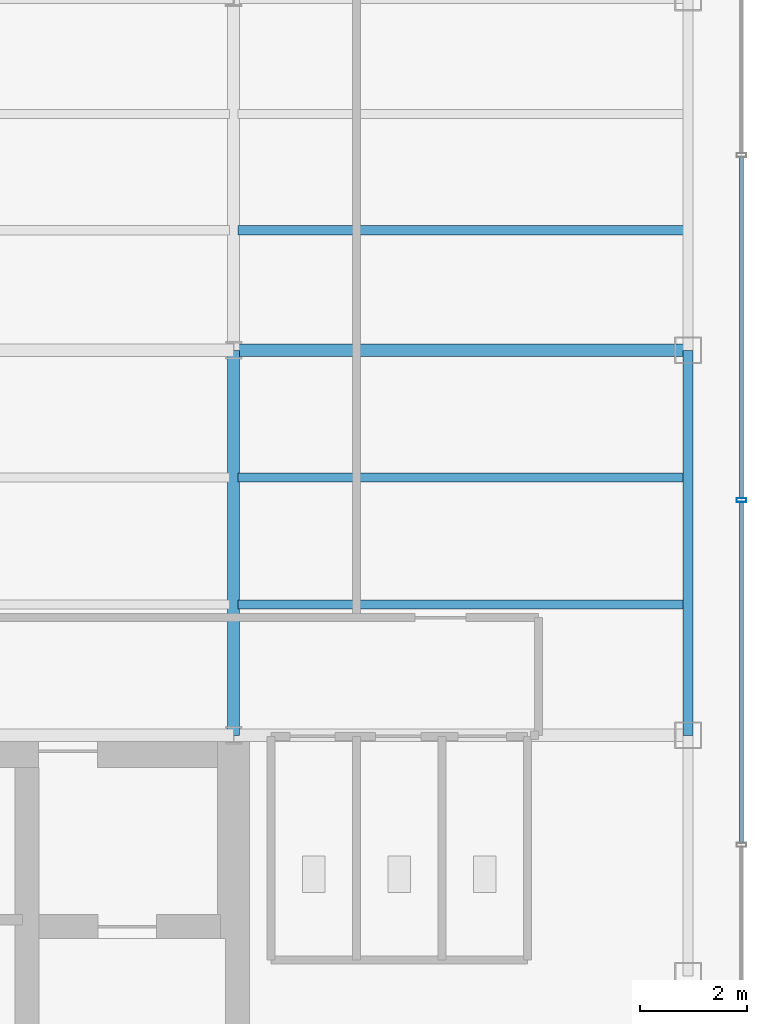
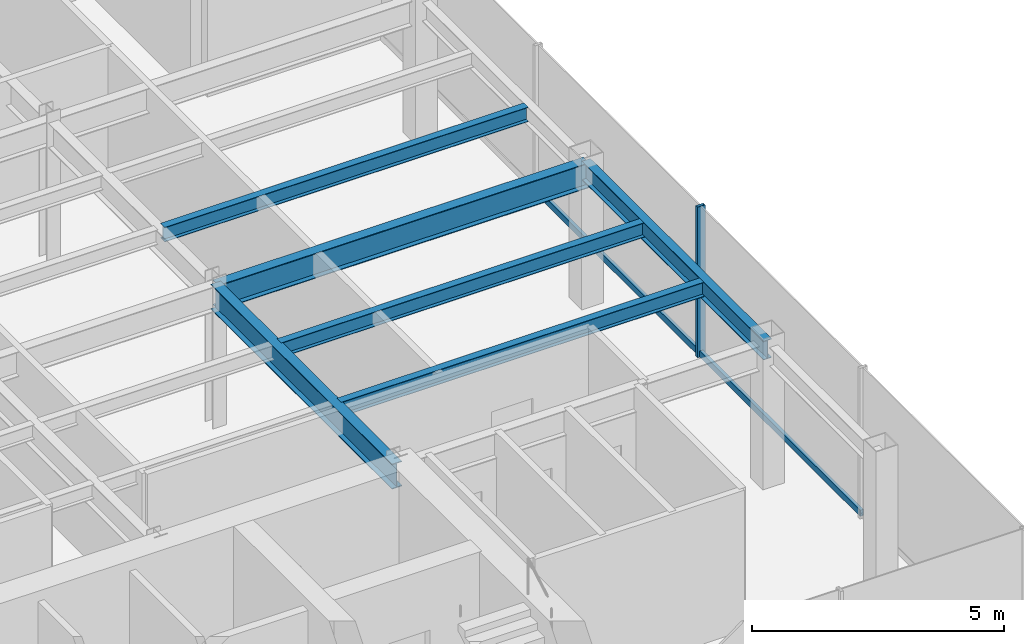
# One storey, part 10 of 22: 6 beams, 3 members, 1 element without a shape of its own.
"""IFC4 building model written with IfcOpenShell, lengths in metres."""

from ifc_helpers import new_model, si_unit, derived_unit, direction, frame, origin, origin_2d, place, context, subcontext, project, spatial, hollow_rectangle, i_section, extrude, source, transform, mapped, material, material_profile, profile_set, type_object, element, aggregate, save


model = new_model("IFC4")

# Units and contexts
model_context = context("Model", 3, precision=1e-05, world=origin(), true_north=direction((0.0, 1.0)))
body_context = subcontext(model_context, "Body", "Model", "MODEL_VIEW")
ifc_project = project(units=[si_unit("LENGTHUNIT", "METRE"), si_unit("AREAUNIT", "SQUARE_METRE"), si_unit("VOLUMEUNIT", "CUBIC_METRE"), si_unit("PLANEANGLEUNIT", "RADIAN"), si_unit("MASSUNIT", "GRAM", prefix="KILO"), derived_unit("THERMALTRANSMITTANCEUNIT", [(si_unit("POWERUNIT", "WATT"), 1), (si_unit("LENGTHUNIT", "METRE"), -2), (si_unit("THERMODYNAMICTEMPERATUREUNIT", "KELVIN"), -1)])], contexts=[model_context])

# Site, building, storey
site_placement = place(None, origin())
site = spatial("IfcSite", under=ifc_project, at=site_placement, CompositionType="ELEMENT")
building_placement = place(site_placement, origin())
building = spatial("IfcBuilding", under=site, at=building_placement, Name="Skarnbrae Concourse Arena and Tower", CompositionType="ELEMENT")
storey_placement = place(building_placement, frame((0.0, 0.0, 203.199951171875)))
storey = spatial("IfcBuildingStorey", under=building, at=storey_placement, Name="L52", CompositionType="ELEMENT", Elevation=203.199951171875)

# Beams
ifc_material_1 = material(Name="Steel CSA G40.21 350W", Category="steel")
ifc_material_profile_1 = material_profile(ifc_material_1, i_section(OverallWidth=0.22802734375, OverallDepth=0.60791015625, WebThickness=0.01123046875, FlangeThickness=0.017333984375, at=origin_2d()), Name="W610X113")
ifc_profile_set_1 = profile_set([ifc_material_profile_1], Name="Steel CSA G40.21 350W")
beam_type_1 = type_object("IfcBeamType", Name="BM-GIRD-W610X113", PredefinedType="BEAM", material=ifc_profile_set_1)
shared_shape_1 = source(origin(), body_context, "Body", "SweptSolid", [
    extrude(i_section(OverallWidth=0.22802734375, OverallDepth=0.60791015625, WebThickness=0.01123046875, FlangeThickness=0.017333984375, at=origin_2d()), origin(), (0.0, 0.0, 1.0), 8.5),
])
beam_1_placement = place(storey_placement, frame((33.5, 21.199951171875, 3.095947265625), z_axis=(1.0, 0.0, 0.0), x_axis=(0.0, 1.0, 0.0)))
element("IfcBeam", 1, at=beam_1_placement, inside=storey, type_object=beam_type_1, Name="L52 Primary E-W girder Y21.2-6", PredefinedType="BEAM", context=body_context, shape_type="MappedRepresentation", body=[
    mapped(shared_shape_1, transform((0.0, 0.0, 0.0))),
])
ifc_material_profile_2 = material_profile(ifc_material_1, i_section(OverallWidth=0.19091796875, OverallDepth=0.4599609375, WebThickness=0.010009765625, FlangeThickness=0.01611328125, at=origin_2d()), Name="W460X82")
ifc_profile_set_2 = profile_set([ifc_material_profile_2], Name="Steel CSA G40.21 350W")
beam_type_2 = type_object("IfcBeamType", Name="BM-SPAN-W460X82", PredefinedType="SPANDREL", material=ifc_profile_set_2)
shared_shape_2 = source(origin(), body_context, "Body", "SweptSolid", [
    extrude(i_section(OverallWidth=0.19091796875, OverallDepth=0.4599609375, WebThickness=0.010009765625, FlangeThickness=0.01611328125, at=origin_2d()), origin(), (0.0, 0.0, 1.0), 7.199951171875),
])
beam_2_placement = place(storey_placement, frame((42.0, 14.0, 3.170166015625), z_axis=(0.0, 1.0, 0.0), x_axis=(-1.0, 0.0, 0.0)))
element("IfcBeam", 2, at=beam_2_placement, inside=storey, type_object=beam_type_2, Name="L52 Perimeter spandrel X42.0-2", PredefinedType="SPANDREL", context=body_context, shape_type="MappedRepresentation", body=[
    mapped(shared_shape_2, transform((0.0, 0.0, 0.0))),
])
shared_shape_3 = source(origin(), body_context, "Body", "SweptSolid", [
    extrude(i_section(OverallWidth=0.22802734375, OverallDepth=0.60791015625, WebThickness=0.01123046875, FlangeThickness=0.017333984375, at=origin_2d()), origin(), (0.0, 0.0, 1.0), 7.199951171875),
])
beam_3_placement = place(storey_placement, frame((33.5, 14.0, 3.095947265625), z_axis=(0.0, 1.0, 0.0), x_axis=(-1.0, 0.0, 0.0)))
element("IfcBeam", 3, at=beam_3_placement, inside=storey, type_object=beam_type_1, Name="L52 Primary N-S girder X33.5-1", PredefinedType="BEAM", context=body_context, shape_type="MappedRepresentation", body=[
    mapped(shared_shape_3, transform((0.0, 0.0, 0.0))),
])
ifc_material_profile_3 = material_profile(ifc_material_1, i_section(OverallWidth=0.1708984375, OverallDepth=0.35498046875, WebThickness=0.007080078125, FlangeThickness=0.01171875, at=origin_2d()), Name="W360X51")
ifc_profile_set_3 = profile_set([ifc_material_profile_3], Name="Steel CSA G40.21 350W")
beam_type_3 = type_object("IfcBeamType", Name="BM-JOIST-W360X51", PredefinedType="JOIST", material=ifc_profile_set_3)
shared_shape_4 = source(origin(), body_context, "Body", "SweptSolid", [
    extrude(i_section(OverallWidth=0.1708984375, OverallDepth=0.35498046875, WebThickness=0.007080078125, FlangeThickness=0.01171875, at=origin_2d()), origin(), (0.0, 0.0, 1.0), 8.33984375),
])
for number, where, z_axis, x_axis, name in (
    (4, (33.580078125, 16.447998046875, 3.22265625), (1.0, 0.0, 0.0), (0.0, 1.0, 0.0), "L52 Secondary floor joist 1.1.6"),
    (5, (33.580078125, 18.823974609375, 3.22265625), (1.0, 0.0, 0.0), (0.0, 1.0, 0.0), "L52 Secondary floor joist 1.2.6"),
    (6, (33.580078125, 23.444091796875, 3.22265625), (1.0, 0.0, 0.0), (0.0, 1.0, 0.0), "L52 Secondary floor joist 2.1.6"),
):
    element("IfcBeam", number, at=place(storey_placement, frame(where, z_axis=z_axis, x_axis=x_axis)), inside=storey, type_object=beam_type_3, Name=name, PredefinedType="JOIST", context=body_context, shape_type="MappedRepresentation", body=[
        mapped(shared_shape_4, transform((0.0, 0.0, 0.0))),
    ])

# Curtain wall, members
ifc_material_2 = material(Name="Bronze anodised aluminium 6063-T6", Category="aluminium")
curtain_wall_type = type_object("IfcCurtainWallType", Name="CW-SYS-05-HIGHZONE", PredefinedType="USERDEFINED", material=ifc_material_2)
curtain_wall_placement = place(storey_placement, origin())
curtain_wall = element("IfcCurtainWall", 7, at=curtain_wall_placement, inside=storey, type_object=curtain_wall_type, Name="L52 Unitised curtain wall CW-L52-E04", ObjectType="UNITISED CURTAIN WALL", PredefinedType="USERDEFINED")
ifc_material_profile_4 = material_profile(ifc_material_2, hollow_rectangle(XDim=0.074951171875, YDim=0.14990234375, WallThickness=0.00390625, at=origin_2d()), Name="ALU-TRAN-75X150")
ifc_profile_set_4 = profile_set([ifc_material_profile_4], Name="Bronze anodised aluminium 6063-T6")
member_type_1 = type_object("IfcMemberType", Name="CWT-CW-05", PredefinedType="USERDEFINED", material=ifc_profile_set_4)
shared_shape_5 = source(origin(), body_context, "Body", "SweptSolid", [
    extrude(hollow_rectangle(XDim=0.074951171875, YDim=0.14990234375, WallThickness=0.00390625, at=origin_2d()), origin(), (0.0, 0.0, 1.0), 6.375),
])
member_1_placement = place(storey_placement, frame((43.0, 11.987548828125, 0.074951171875), z_axis=(0.0, 1.0, 0.0), x_axis=(-1.0, 0.0, 0.0)))
member_1 = element("IfcMember", 8, at=member_1_placement, type_object=member_type_1, Name="CW-L52-E04 Transom 2", ObjectType="TRANSOM", PredefinedType="USERDEFINED", context=body_context, shape_type="MappedRepresentation", body=[
    mapped(shared_shape_5, transform((0.0, 0.0, 0.0))),
])
member_2_placement = place(storey_placement, frame((43.0, 18.4375, 0.074951171875), z_axis=(0.0, 1.0, 0.0), x_axis=(-1.0, 0.0, 0.0)))
member_2 = element("IfcMember", 9, at=member_2_placement, type_object=member_type_1, Name="CW-L52-E04 Transom 3", ObjectType="TRANSOM", PredefinedType="USERDEFINED", context=body_context, shape_type="MappedRepresentation", body=[
    mapped(shared_shape_5, transform((0.0, 0.0, 0.0))),
])
ifc_material_profile_5 = material_profile(ifc_material_2, hollow_rectangle(XDim=0.074951171875, YDim=0.179931640625, WallThickness=0.00390625, at=origin_2d()), Name="ALU-MULL-75X180")
ifc_profile_set_5 = profile_set([ifc_material_profile_5], Name="Bronze anodised aluminium 6063-T6")
member_type_2 = type_object("IfcMemberType", Name="CWM-CW-05", PredefinedType="MULLION", material=ifc_profile_set_5)
shared_shape_6 = source(origin(), body_context, "Body", "SweptSolid", [
    extrude(hollow_rectangle(XDim=0.074951171875, YDim=0.179931640625, WallThickness=0.00390625, at=origin_2d()), origin(), (0.0, 0.0, 1.0), 3.650146484375),
])
member_3_placement = place(storey_placement, frame((43.0, 18.39990234375, 0.0), z_axis=(0.0, 0.0, 1.0), x_axis=(0.0, 1.0, 0.0)))
member_3 = element("IfcMember", 10, at=member_3_placement, type_object=member_type_2, Name="CW-L52-E04 Mullion 3", PredefinedType="MULLION", context=body_context, shape_type="MappedRepresentation", body=[
    mapped(shared_shape_6, transform((0.0, 0.0, 0.0))),
])
aggregate(curtain_wall, [member_3, member_1, member_2])

save(model, "model.ifc")
